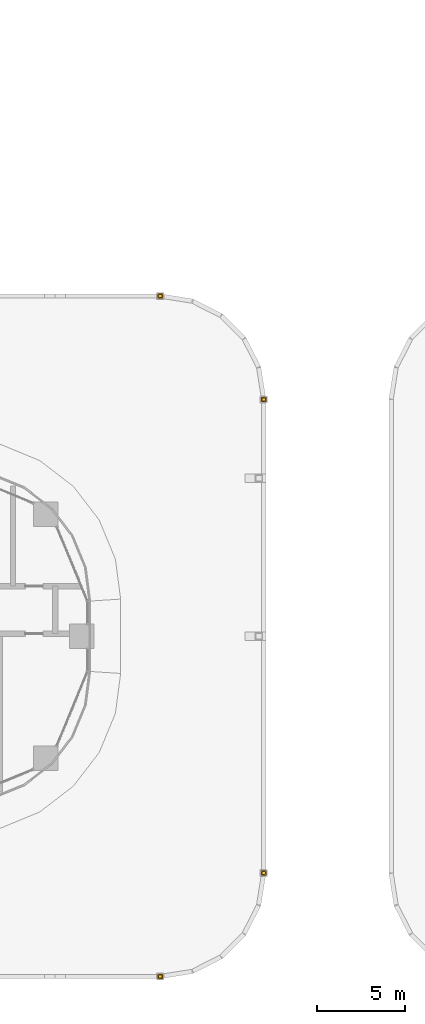
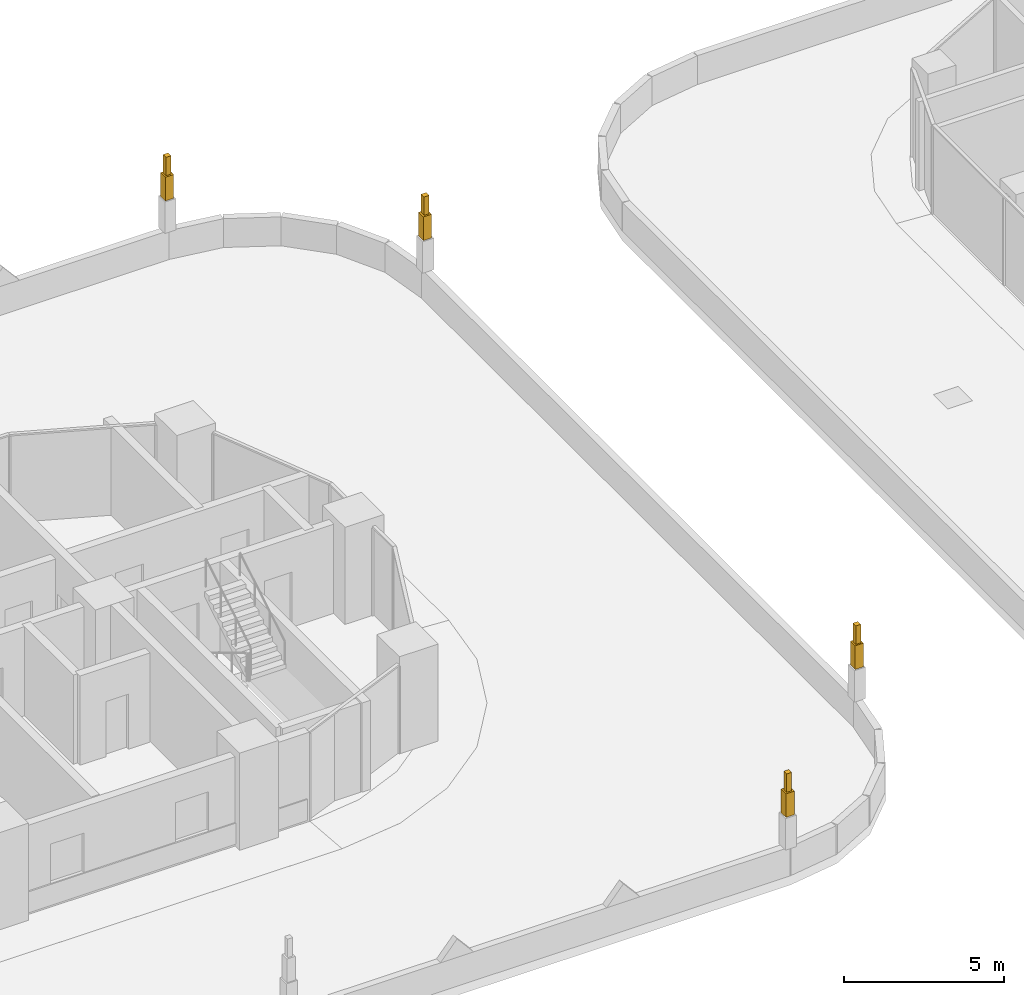
# One storey, part 50 of 51: 8 coverings.
"""IFC4 building model written with IfcOpenShell, lengths in metres."""

from ifc_helpers import new_model, si_unit, direction, frame, origin, origin_2d, place, context, subcontext, project, spatial, rectangle, extrude, material, layer, layer_set, type_object, element, save


model = new_model("IFC4")

# Units and contexts
model_context = context("Model", 3, precision=1e-05, world=origin(), true_north=direction((0.0, 1.0)))
body_context = subcontext(model_context, "Body", "Model", "MODEL_VIEW")
ifc_project = project(units=[si_unit("LENGTHUNIT", "METRE"), si_unit("AREAUNIT", "SQUARE_METRE"), si_unit("VOLUMEUNIT", "CUBIC_METRE"), si_unit("PLANEANGLEUNIT", "RADIAN"), si_unit("MASSUNIT", "GRAM", prefix="KILO")], contexts=[model_context])

# Site, building, storey
site_placement = place(None, origin())
site = spatial("IfcSite", under=ifc_project, at=site_placement, CompositionType="ELEMENT")
building_placement = place(site_placement, origin())
building = spatial("IfcBuilding", under=site, at=building_placement, Name="Ogive Portal Towers", CompositionType="ELEMENT")
storey_placement = place(building_placement, frame((0.0, 0.0, 33.5)))
storey = spatial("IfcBuildingStorey", under=building, at=storey_placement, Name="L06", CompositionType="ELEMENT", Elevation=33.5)

# Coverings
ifc_material = material(Name="Limestone cladding on lightweight block wall", Category="masonry")
ifc_layer_1 = layer(ifc_material, 0.179931640625)
ifc_layer_set_1 = layer_set([ifc_layer_1], Name="PINNACLE FINIAL STONE")
covering_type_1 = type_object("IfcCoveringType", Name="PINNACLE FINIAL STONE", PredefinedType="CLADDING", material=ifc_layer_set_1)
for number, where, z_axis, x_axis, name in (
    (1, (98.980224609375, 11.125, 3.2001953125), (0.0, 0.0, 1.0), (1.0, 0.0, 0.0), "PINNACLE"),
    (2, (104.875, 17.019775390625, 3.2001953125), (0.0, 0.0, 1.0), (1.0, 0.0, 0.0), "PINNACLE"),
    (3, (104.875, 43.980224609375, 3.2001953125), (0.0, 0.0, 1.0), (1.0, 0.0, 0.0), "PINNACLE"),
    (4, (98.980224609375, 49.875, 3.2001953125), (0.0, 0.0, 1.0), (1.0, 0.0, 0.0), "PINNACLE"),
):
    element("IfcCovering", number, at=place(storey_placement, frame(where, z_axis=z_axis, x_axis=x_axis)), inside=storey, type_object=covering_type_1, Name=name, PredefinedType="CLADDING", context=body_context, shape_type="SweptSolid", body=[
        extrude(rectangle(XDim=0.179931640625, YDim=0.179931640625, at=origin_2d()), origin(), (0.0, 0.0, 1.0), 0.699951171875),
    ])
ifc_layer_2 = layer(ifc_material, 0.300048828125)
ifc_layer_set_2 = layer_set([ifc_layer_2], Name="PINNACLE MID STONE")
covering_type_2 = type_object("IfcCoveringType", Name="PINNACLE MID STONE", PredefinedType="CLADDING", material=ifc_layer_set_2)
for number, where, z_axis, x_axis, name in (
    (5, (98.980224609375, 11.125, 2.300048828125), (0.0, 0.0, 1.0), (1.0, 0.0, 0.0), "PINNACLE"),
    (6, (104.875, 17.019775390625, 2.300048828125), (0.0, 0.0, 1.0), (1.0, 0.0, 0.0), "PINNACLE"),
    (7, (104.875, 43.980224609375, 2.300048828125), (0.0, 0.0, 1.0), (1.0, 0.0, 0.0), "PINNACLE"),
    (8, (98.980224609375, 49.875, 2.300048828125), (0.0, 0.0, 1.0), (1.0, 0.0, 0.0), "PINNACLE"),
):
    element("IfcCovering", number, at=place(storey_placement, frame(where, z_axis=z_axis, x_axis=x_axis)), inside=storey, type_object=covering_type_2, Name=name, PredefinedType="CLADDING", context=body_context, shape_type="SweptSolid", body=[
        extrude(rectangle(XDim=0.300048828125, YDim=0.300048828125, at=origin_2d()), origin(), (0.0, 0.0, 1.0), 0.89990234375),
    ])

save(model, "model.ifc")
